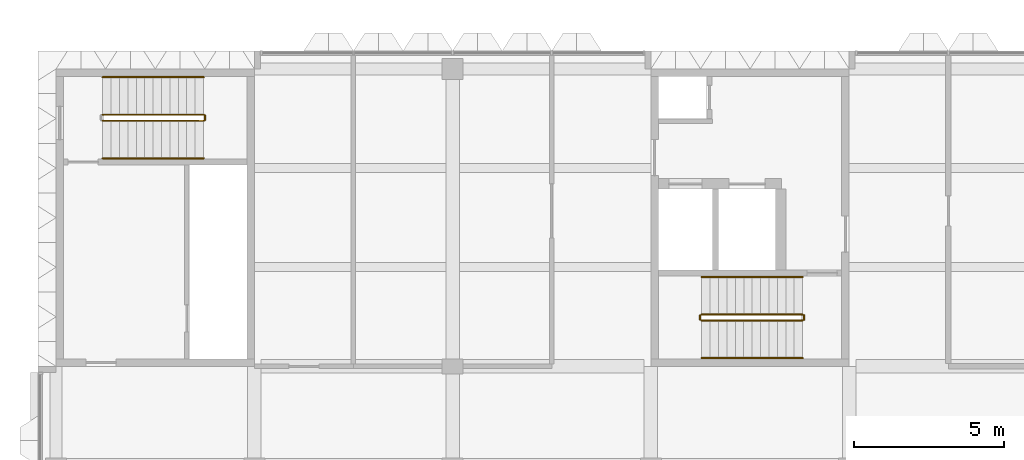
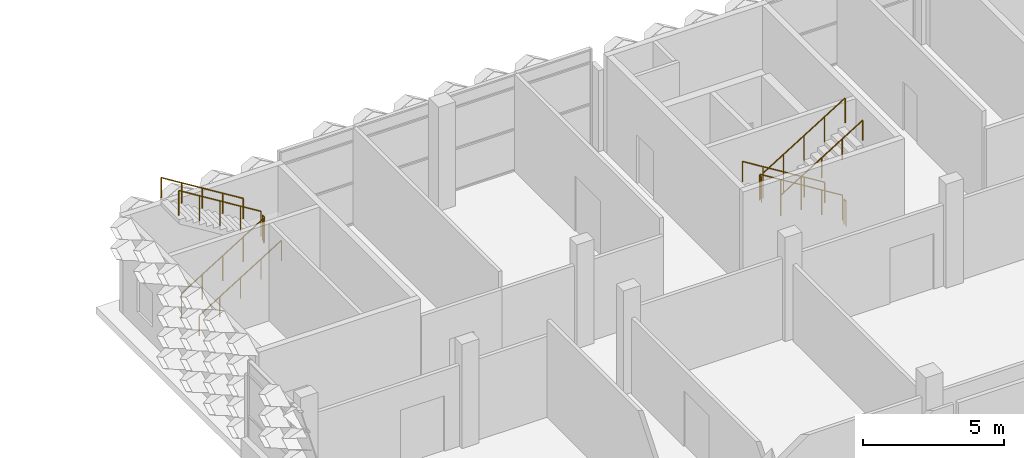
# One storey, part 43 of 85: 11 railings.
"""IFC4 building model written with IfcOpenShell, lengths in metres."""

from ifc_helpers import new_model, si_unit, direction, frame, origin, origin_2d, place, context, subcontext, project, spatial, circle, extrude, material, type_object, element, save


model = new_model("IFC4")

# Units and contexts
model_context = context("Model", 3, precision=1e-05, world=origin(), true_north=direction((0.0, 1.0)))
body_context = subcontext(model_context, "Body", "Model", "MODEL_VIEW")
ifc_project = project(units=[si_unit("LENGTHUNIT", "METRE"), si_unit("AREAUNIT", "SQUARE_METRE"), si_unit("VOLUMEUNIT", "CUBIC_METRE"), si_unit("PLANEANGLEUNIT", "RADIAN"), si_unit("MASSUNIT", "GRAM", prefix="KILO")], contexts=[model_context])

# Site, building, storey
site_placement = place(None, origin())
site = spatial("IfcSite", under=ifc_project, at=site_placement, CompositionType="ELEMENT")
building_placement = place(site_placement, origin())
building = spatial("IfcBuilding", under=site, at=building_placement, Name="Lantern Court Research Institute", CompositionType="ELEMENT")
storey_placement = place(building_placement, frame((0.0, 0.0, 18.89990234375)))
storey = spatial("IfcBuildingStorey", under=building, at=storey_placement, Name="L04", CompositionType="ELEMENT", Elevation=18.89990234375)

# Railings
ifc_material_1 = material(Name="Structural steel S355", Category="steel")
railing_type_1 = type_object("IfcRailingType", Name="Stair guard 1100 steel", PredefinedType="GUARDRAIL", material=ifc_material_1)
railing_1_placement = place(storey_placement, frame((1.550048828125, 21.375, 0.173095703125)))
element("IfcRailing", 1, at=railing_1_placement, inside=storey, type_object=railing_type_1, Name="L04 ST-B1 stair guard 1", PredefinedType="GUARDRAIL", context=body_context, shape_type="SweptSolid", body=[
    extrude(circle(Radius=0.02392578125, at=origin_2d()), frame((0.0, 0.0, 1.076171875), z_axis=(0.850606129759, 0.0, 0.525803396734), x_axis=(0.0, 1.0, 0.0)), (0.0, 0.0, 1.0), 3.949951171875),
    extrude(circle(Radius=0.02099609375, at=origin_2d()), origin(), (0.0, 0.0, 1.0), 1.052001953125),
    extrude(circle(Radius=0.02099609375, at=origin_2d()), frame((0.83984375, 0.0, 0.519287109375)), (0.0, 0.0, 1.0), 1.052001953125),
    extrude(circle(Radius=0.02099609375, at=origin_2d()), frame((1.679931640625, 0.0, 1.03857421875)), (0.0, 0.0, 1.0), 1.052001953125),
    extrude(circle(Radius=0.02099609375, at=origin_2d()), frame((2.52001953125, 0.0, 1.5576171875)), (0.0, 0.0, 1.0), 1.052001953125),
    extrude(circle(Radius=0.02099609375, at=origin_2d()), frame((3.35986328125, 0.0, 2.076904296875)), (0.0, 0.0, 1.0), 1.052001953125),
])
railing_2_placement = place(storey_placement, frame((4.9599609375, 21.39990234375, 2.25)))
element("IfcRailing", 2, at=railing_2_placement, inside=storey, type_object=railing_type_1, Name="L04 ST-B1 stair guard 2", PredefinedType="GUARDRAIL", context=body_context, shape_type="SweptSolid", body=[
    extrude(circle(Radius=0.02392578125, at=origin_2d()), frame((0.0, 0.0, 1.076171875), z_axis=(0.0, 1.0, 0.0), x_axis=(-1.0, 0.0, 0.0)), (0.0, 0.0, 1.0), 0.150146484375),
    extrude(circle(Radius=0.02099609375, at=origin_2d()), origin(), (0.0, 0.0, 1.0), 1.052001953125),
    extrude(circle(Radius=0.02099609375, at=origin_2d()), frame((0.0, 0.150146484375, 0.0)), (0.0, 0.0, 1.0), 1.052001953125),
])
railing_3_placement = place(storey_placement, frame((4.909912109375, 21.574951171875, 2.423095703125)))
element("IfcRailing", 3, at=railing_3_placement, inside=storey, type_object=railing_type_1, Name="L04 ST-B1 stair guard 3", PredefinedType="GUARDRAIL", context=body_context, shape_type="SweptSolid", body=[
    extrude(circle(Radius=0.02392578125, at=origin_2d()), frame((0.0, 0.0, 1.076171875), z_axis=(-0.850606129759, 0.0, 0.525803396734), x_axis=(0.0, -1.0, 0.0)), (0.0, 0.0, 1.0), 3.949951171875),
    extrude(circle(Radius=0.02099609375, at=origin_2d()), origin(), (0.0, 0.0, 1.0), 1.052001953125),
    extrude(circle(Radius=0.02099609375, at=origin_2d()), frame((-0.83984375, 0.0, 0.519287109375)), (0.0, 0.0, 1.0), 1.052001953125),
    extrude(circle(Radius=0.02099609375, at=origin_2d()), frame((-1.679931640625, 0.0, 1.03857421875)), (0.0, 0.0, 1.0), 1.052001953125),
    extrude(circle(Radius=0.02099609375, at=origin_2d()), frame((-2.52001953125, 0.0, 1.5576171875)), (0.0, 0.0, 1.0), 1.052001953125),
    extrude(circle(Radius=0.02099609375, at=origin_2d()), frame((-3.35986328125, 0.0, 2.076904296875)), (0.0, 0.0, 1.0), 1.052001953125),
])
railing_4_placement = place(storey_placement, frame((24.85009765625, 14.925048828125, 0.173095703125)))
element("IfcRailing", 4, at=railing_4_placement, inside=storey, type_object=railing_type_1, Name="L04 ST-B2 stair guard 1", PredefinedType="GUARDRAIL", context=body_context, shape_type="SweptSolid", body=[
    extrude(circle(Radius=0.02392578125, at=origin_2d()), frame((0.0, 0.0, 1.076171875), z_axis=(-0.850623216509, 0.0, 0.525775754039), x_axis=(0.0, -1.0, 0.0)), (0.0, 0.0, 1.0), 3.9501953125),
    extrude(circle(Radius=0.02099609375, at=origin_2d()), origin(), (0.0, 0.0, 1.0), 1.052001953125),
    extrude(circle(Radius=0.02099609375, at=origin_2d()), frame((-0.840087890625, 0.0, 0.519287109375)), (0.0, 0.0, 1.0), 1.052001953125),
    extrude(circle(Radius=0.02099609375, at=origin_2d()), frame((-1.68017578125, 0.0, 1.03857421875)), (0.0, 0.0, 1.0), 1.052001953125),
    extrude(circle(Radius=0.02099609375, at=origin_2d()), frame((-2.52001953125, 0.0, 1.5576171875)), (0.0, 0.0, 1.0), 1.052001953125),
    extrude(circle(Radius=0.02099609375, at=origin_2d()), frame((-3.360107421875, 0.0, 2.076904296875)), (0.0, 0.0, 1.0), 1.052001953125),
])
railing_5_placement = place(storey_placement, frame((21.43994140625, 14.89990234375, 2.25)))
element("IfcRailing", 5, at=railing_5_placement, inside=storey, type_object=railing_type_1, Name="L04 ST-B2 stair guard 2", PredefinedType="GUARDRAIL", context=body_context, shape_type="SweptSolid", body=[
    extrude(circle(Radius=0.02392578125, at=origin_2d()), frame((0.0, 0.0, 1.076171875), z_axis=(0.0, -1.0, 0.0), x_axis=(1.0, 0.0, 0.0)), (0.0, 0.0, 1.0), 0.14990234375),
    extrude(circle(Radius=0.02099609375, at=origin_2d()), origin(), (0.0, 0.0, 1.0), 1.052001953125),
    extrude(circle(Radius=0.02099609375, at=origin_2d()), frame((0.0, -0.14990234375, 0.0)), (0.0, 0.0, 1.0), 1.052001953125),
])
railing_6_placement = place(storey_placement, frame((21.489990234375, 14.72509765625, 2.423095703125)))
element("IfcRailing", 6, at=railing_6_placement, inside=storey, type_object=railing_type_1, Name="L04 ST-B2 stair guard 3", PredefinedType="GUARDRAIL", context=body_context, shape_type="SweptSolid", body=[
    extrude(circle(Radius=0.02392578125, at=origin_2d()), frame((0.0, 0.0, 1.076171875), z_axis=(0.850623216509, 0.0, 0.525775754039), x_axis=(0.0, 1.0, 0.0)), (0.0, 0.0, 1.0), 3.9501953125),
    extrude(circle(Radius=0.02099609375, at=origin_2d()), origin(), (0.0, 0.0, 1.0), 1.052001953125),
    extrude(circle(Radius=0.02099609375, at=origin_2d()), frame((0.840087890625, 0.0, 0.519287109375)), (0.0, 0.0, 1.0), 1.052001953125),
    extrude(circle(Radius=0.02099609375, at=origin_2d()), frame((1.68017578125, 0.0, 1.03857421875)), (0.0, 0.0, 1.0), 1.052001953125),
    extrude(circle(Radius=0.02099609375, at=origin_2d()), frame((2.52001953125, 0.0, 1.5576171875)), (0.0, 0.0, 1.0), 1.052001953125),
    extrude(circle(Radius=0.02099609375, at=origin_2d()), frame((3.360107421875, 0.0, 2.076904296875)), (0.0, 0.0, 1.0), 1.052001953125),
])
railing_7_placement = place(storey_placement, frame((24.89990234375, 14.89990234375, 0.0)))
element("IfcRailing", 7, at=railing_7_placement, inside=storey, type_object=railing_type_1, Name="L04 ST-B2 stair guard 4", PredefinedType="GUARDRAIL", context=body_context, shape_type="SweptSolid", body=[
    extrude(circle(Radius=0.02392578125, at=origin_2d()), frame((0.0, 0.0, 1.076171875), z_axis=(0.0, -1.0, 0.0), x_axis=(1.0, 0.0, 0.0)), (0.0, 0.0, 1.0), 0.14990234375),
    extrude(circle(Radius=0.02099609375, at=origin_2d()), origin(), (0.0, 0.0, 1.0), 1.052001953125),
    extrude(circle(Radius=0.02099609375, at=origin_2d()), frame((0.0, -0.14990234375, 0.0)), (0.0, 0.0, 1.0), 1.052001953125),
])
ifc_material_2 = material(Name="Stainless steel 316", Category="steel")
railing_type_2 = type_object("IfcRailingType", Name="Stair handrail 900 steel", PredefinedType="HANDRAIL", material=ifc_material_2)
railing_8_placement = place(storey_placement, frame((1.550048828125, 20.125, 0.173095703125)))
element("IfcRailing", 8, at=railing_8_placement, inside=storey, type_object=railing_type_2, Name="L04 ST-B1 stair handrail 1", PredefinedType="HANDRAIL", context=body_context, shape_type="SweptSolid", body=[
    extrude(circle(Radius=0.02392578125, at=origin_2d()), frame((0.0, 0.0, 0.8759765625), z_axis=(0.850606129759, 0.0, 0.525803396734), x_axis=(0.0, 1.0, 0.0)), (0.0, 0.0, 1.0), 3.949951171875),
    extrude(circle(Radius=0.02099609375, at=origin_2d()), origin(), (0.0, 0.0, 1.0), 0.851806640625),
    extrude(circle(Radius=0.02099609375, at=origin_2d()), frame((0.83984375, 0.0, 0.519287109375)), (0.0, 0.0, 1.0), 0.851806640625),
    extrude(circle(Radius=0.02099609375, at=origin_2d()), frame((1.679931640625, 0.0, 1.03857421875)), (0.0, 0.0, 1.0), 0.851806640625),
    extrude(circle(Radius=0.02099609375, at=origin_2d()), frame((2.52001953125, 0.0, 1.5576171875)), (0.0, 0.0, 1.0), 0.851806640625),
    extrude(circle(Radius=0.02099609375, at=origin_2d()), frame((3.35986328125, 0.0, 2.076904296875)), (0.0, 0.0, 1.0), 0.851806640625),
])
railing_9_placement = place(storey_placement, frame((4.909912109375, 22.824951171875, 2.423095703125)))
element("IfcRailing", 9, at=railing_9_placement, inside=storey, type_object=railing_type_2, Name="L04 ST-B1 stair handrail 2", PredefinedType="HANDRAIL", context=body_context, shape_type="SweptSolid", body=[
    extrude(circle(Radius=0.02392578125, at=origin_2d()), frame((0.0, 0.0, 0.8759765625), z_axis=(-0.850606129759, 0.0, 0.525803396734), x_axis=(0.0, -1.0, 0.0)), (0.0, 0.0, 1.0), 3.949951171875),
    extrude(circle(Radius=0.02099609375, at=origin_2d()), origin(), (0.0, 0.0, 1.0), 0.851806640625),
    extrude(circle(Radius=0.02099609375, at=origin_2d()), frame((-0.83984375, 0.0, 0.519287109375)), (0.0, 0.0, 1.0), 0.851806640625),
    extrude(circle(Radius=0.02099609375, at=origin_2d()), frame((-1.679931640625, 0.0, 1.03857421875)), (0.0, 0.0, 1.0), 0.851806640625),
    extrude(circle(Radius=0.02099609375, at=origin_2d()), frame((-2.52001953125, 0.0, 1.5576171875)), (0.0, 0.0, 1.0), 0.851806640625),
    extrude(circle(Radius=0.02099609375, at=origin_2d()), frame((-3.35986328125, 0.0, 2.076904296875)), (0.0, 0.0, 1.0), 0.851806640625),
])
railing_10_placement = place(storey_placement, frame((24.85009765625, 16.175048828125, 0.173095703125)))
element("IfcRailing", 10, at=railing_10_placement, inside=storey, type_object=railing_type_2, Name="L04 ST-B2 stair handrail 1", PredefinedType="HANDRAIL", context=body_context, shape_type="SweptSolid", body=[
    extrude(circle(Radius=0.02392578125, at=origin_2d()), frame((0.0, 0.0, 0.8759765625), z_axis=(-0.850623216509, 0.0, 0.525775754039), x_axis=(0.0, -1.0, 0.0)), (0.0, 0.0, 1.0), 3.9501953125),
    extrude(circle(Radius=0.02099609375, at=origin_2d()), origin(), (0.0, 0.0, 1.0), 0.851806640625),
    extrude(circle(Radius=0.02099609375, at=origin_2d()), frame((-0.840087890625, 0.0, 0.519287109375)), (0.0, 0.0, 1.0), 0.851806640625),
    extrude(circle(Radius=0.02099609375, at=origin_2d()), frame((-1.68017578125, 0.0, 1.03857421875)), (0.0, 0.0, 1.0), 0.851806640625),
    extrude(circle(Radius=0.02099609375, at=origin_2d()), frame((-2.52001953125, 0.0, 1.5576171875)), (0.0, 0.0, 1.0), 0.851806640625),
    extrude(circle(Radius=0.02099609375, at=origin_2d()), frame((-3.360107421875, 0.0, 2.076904296875)), (0.0, 0.0, 1.0), 0.851806640625),
])
railing_11_placement = place(storey_placement, frame((21.489990234375, 13.47509765625, 2.423095703125)))
element("IfcRailing", 11, at=railing_11_placement, inside=storey, type_object=railing_type_2, Name="L04 ST-B2 stair handrail 2", PredefinedType="HANDRAIL", context=body_context, shape_type="SweptSolid", body=[
    extrude(circle(Radius=0.02392578125, at=origin_2d()), frame((0.0, 0.0, 0.8759765625), z_axis=(0.850623216509, 0.0, 0.525775754039), x_axis=(0.0, 1.0, 0.0)), (0.0, 0.0, 1.0), 3.9501953125),
    extrude(circle(Radius=0.02099609375, at=origin_2d()), origin(), (0.0, 0.0, 1.0), 0.851806640625),
    extrude(circle(Radius=0.02099609375, at=origin_2d()), frame((0.840087890625, 0.0, 0.519287109375)), (0.0, 0.0, 1.0), 0.851806640625),
    extrude(circle(Radius=0.02099609375, at=origin_2d()), frame((1.68017578125, 0.0, 1.03857421875)), (0.0, 0.0, 1.0), 0.851806640625),
    extrude(circle(Radius=0.02099609375, at=origin_2d()), frame((2.52001953125, 0.0, 1.5576171875)), (0.0, 0.0, 1.0), 0.851806640625),
    extrude(circle(Radius=0.02099609375, at=origin_2d()), frame((3.360107421875, 0.0, 2.076904296875)), (0.0, 0.0, 1.0), 0.851806640625),
])

save(model, "model.ifc")
